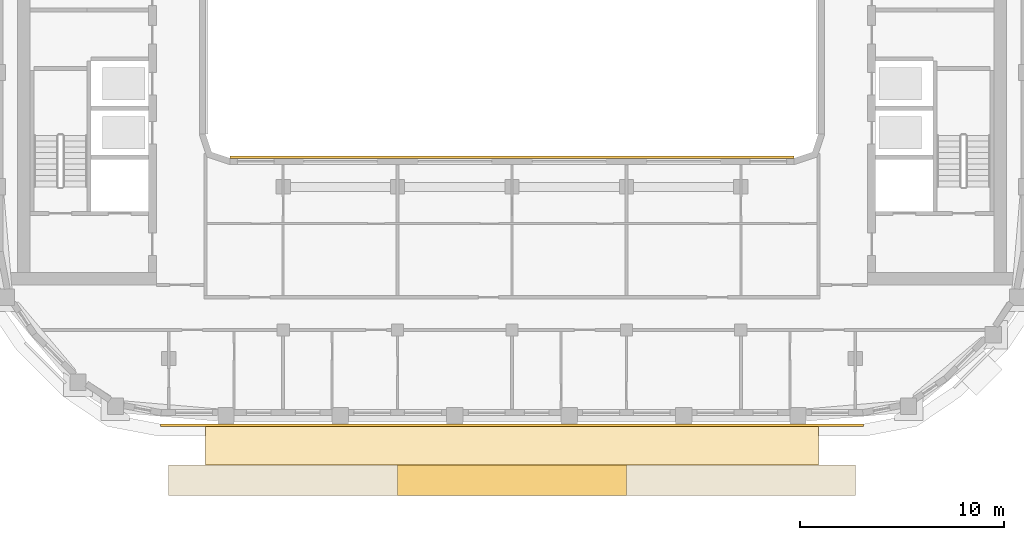
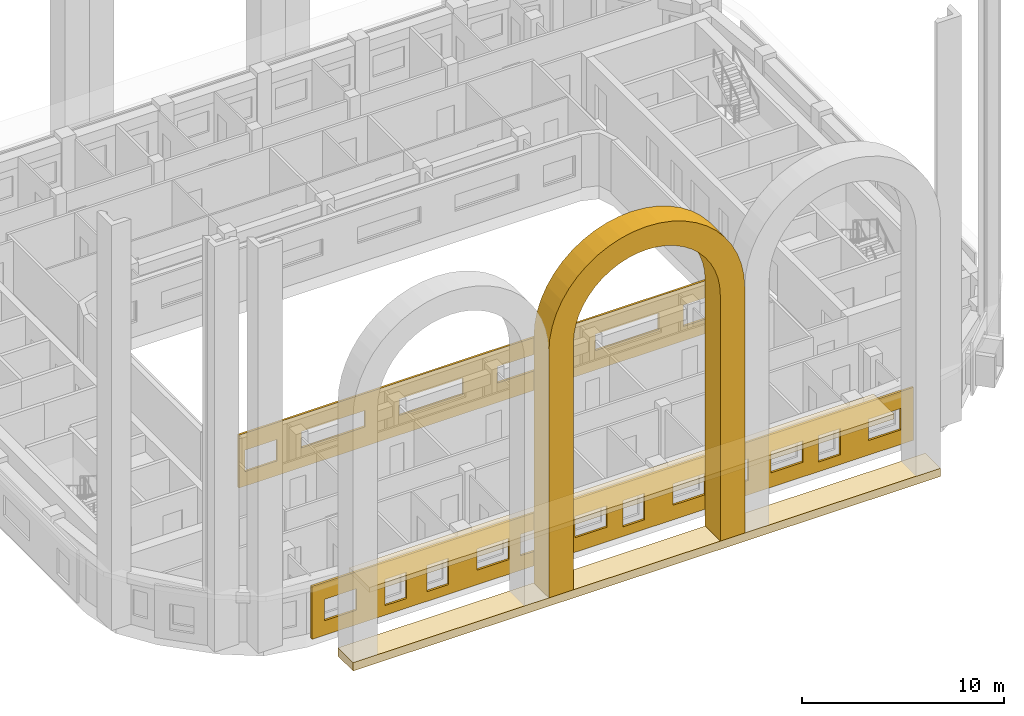
# One storey, part 11 of 19: 5 coverings.
"""IFC4 building model written with IfcOpenShell, lengths in metres."""

from ifc_helpers import new_model, si_unit, direction, frame, origin, place, context, subcontext, project, spatial, polyline, outline, extrude, material, layer, layer_set, type_object, element, save


model = new_model("IFC4")

# Units and contexts
model_context = context("Model", 3, precision=1e-05, world=origin(), true_north=direction((0.0, 1.0)))
body_context = subcontext(model_context, "Body", "Model", "MODEL_VIEW")
ifc_project = project(units=[si_unit("LENGTHUNIT", "METRE"), si_unit("AREAUNIT", "SQUARE_METRE"), si_unit("VOLUMEUNIT", "CUBIC_METRE"), si_unit("PLANEANGLEUNIT", "RADIAN"), si_unit("MASSUNIT", "GRAM", prefix="KILO")], contexts=[model_context])

# Site, building, storey
site_placement = place(None, origin())
site = spatial("IfcSite", under=ifc_project, at=site_placement, CompositionType="ELEMENT")
building_placement = place(site_placement, origin())
building = spatial("IfcBuilding", under=site, at=building_placement, Name="Kiln Ring Residences", CompositionType="ELEMENT")
storey_placement = place(building_placement, frame((0.0, 0.0, 241.699951171875)))
storey = spatial("IfcBuildingStorey", under=building, at=storey_placement, Name="L62", CompositionType="ELEMENT", Elevation=241.699951171875)

# Coverings
ifc_material_1 = material(Name="Brick masonry, dark clay brick", Category="masonry")
ifc_layer_1 = layer(ifc_material_1, 0.5)
ifc_layer_set_1 = layer_set([ifc_layer_1], Name="ARCADE PLINTH 500")
covering_type_1 = type_object("IfcCoveringType", Name="ARCADE PLINTH 500", PredefinedType="CLADDING", material=ifc_layer_set_1)
covering_1_placement = place(storey_placement, origin())
element("IfcCovering", 1, at=covering_1_placement, inside=storey, type_object=covering_type_1, Name="ARCADE PLINTH Z5 S", PredefinedType="CLADDING", context=body_context, shape_type="SweptSolid", body=[
    extrude(outline(polyline([(-16.800048828125, -23.5), (16.800048828125, -23.5), (16.800048828125, -22.0), (-16.800048828125, -22.0), (-16.800048828125, -23.5)])), origin(), (0.0, 0.0, 1.0), 0.5),
])
ifc_material_2 = material(Name="Brick masonry, dark clay brick", Category="masonry")
ifc_layer_2 = layer(ifc_material_2, 1.39990234375)
ifc_layer_set_2 = layer_set([ifc_layer_2], Name="ARCH SURROUND 1500")
covering_type_2 = type_object("IfcCoveringType", Name="ARCH SURROUND 1500", PredefinedType="CLADDING", material=ifc_layer_set_2)
covering_2_placement = place(storey_placement, frame((5.60009765625, -22.75, 0.5), z_axis=(0.0, 0.0, 1.0), x_axis=(-1.0, 0.0, 0.0)))
element("IfcCovering", 2, at=covering_2_placement, inside=storey, type_object=covering_type_2, Name="ARCH SURROUND Z5 S1.2", PredefinedType="CLADDING", context=body_context, shape_type="SweptSolid", body=[
    extrude(outline(polyline([(11.199951171875, 0.0), (11.199951171875, 14.900146484375), (11.152099609375, 15.630859375), (11.00927734375, 16.349365234375), (10.773681640625, 17.04296875), (10.44970703125, 17.699951171875), (10.042724609375, 18.30908203125), (9.559814453125, 18.85986328125), (9.009033203125, 19.3427734375), (8.39990234375, 19.749755859375), (7.742919921875, 20.07373046875), (7.04931640625, 20.309326171875), (6.330810546875, 20.4521484375), (5.60009765625, 20.5), (4.869140625, 20.4521484375), (4.150634765625, 20.309326171875), (3.45703125, 20.07373046875), (2.800048828125, 19.749755859375), (2.19091796875, 19.3427734375), (1.64013671875, 18.85986328125), (1.1572265625, 18.30908203125), (0.750244140625, 17.699951171875), (0.42626953125, 17.04296875), (0.19091796875, 16.349365234375), (0.0478515625, 15.630859375), (0.0, 14.900146484375), (0.0, 0.0), (1.39990234375, 0.0), (1.39990234375, 14.900146484375), (1.435791015625, 15.4482421875), (1.543212890625, 15.987060546875), (1.7197265625, 16.50732421875), (1.962646484375, 17.0), (2.267822265625, 17.456787109375), (2.630126953125, 17.869873046875), (3.043212890625, 18.232177734375), (3.5, 18.537353515625), (3.99267578125, 18.7802734375), (4.512939453125, 18.95703125), (5.0517578125, 19.064208984375), (5.60009765625, 19.10009765625), (6.148193359375, 19.064208984375), (6.68701171875, 18.95703125), (7.207275390625, 18.7802734375), (7.699951171875, 18.537353515625), (8.15673828125, 18.232177734375), (8.56982421875, 17.869873046875), (8.93212890625, 17.456787109375), (9.2373046875, 17.0), (9.480224609375, 16.50732421875), (9.656982421875, 15.987060546875), (9.76416015625, 15.4482421875), (9.800048828125, 14.900146484375), (9.800048828125, 0.0), (11.199951171875, 0.0)])), frame((0.0, 0.75, 0.0), z_axis=(0.0, -1.0, 0.0), x_axis=(1.0, 0.0, 0.0)), (0.0, 0.0, 1.0), 1.5),
])
ifc_material_3 = material(Name="Brick masonry, dark clay brick", Category="masonry")
ifc_layer_3 = layer(ifc_material_3, 0.1201171875)
ifc_layer_set_3 = layer_set([ifc_layer_3], Name="RAINSCREEN PANEL 120")
covering_type_3 = type_object("IfcCoveringType", Name="RAINSCREEN PANEL 120", PredefinedType="CLADDING", material=ifc_layer_set_3)
covering_3_placement = place(storey_placement, frame((-17.199951171875, -20.06005859375, 0.0), z_axis=(0.0, 0.0, 1.0), x_axis=(1.0, 0.0, 0.0)))
element("IfcCovering", 3, at=covering_3_placement, inside=storey, type_object=covering_type_3, Name="RAINSCREEN L62", PredefinedType="CLADDING", context=body_context, shape_type="SweptSolid", body=[
    extrude(outline(polyline([(0.0, 0.0), (34.39990234375, 0.0), (34.39990234375, 3.199951171875), (0.0, 3.199951171875), (0.0, 0.0)]), holes=[polyline([(4.179931640625, 0.580078125), (5.419921875, 0.580078125), (5.419921875, 2.170166015625), (4.179931640625, 2.170166015625), (4.179931640625, 0.580078125)]), polyline([(6.580078125, 2.170166015625), (6.580078125, 0.580078125), (7.820068359375, 0.580078125), (7.820068359375, 2.170166015625), (6.580078125, 2.170166015625)]), polyline([(0.717529296875, 2.170166015625), (0.717529296875, 0.880126953125), (2.5576171875, 0.880126953125), (2.5576171875, 2.170166015625), (0.717529296875, 2.170166015625)]), polyline([(9.4423828125, 0.880126953125), (11.282470703125, 0.880126953125), (11.282470703125, 2.170166015625), (9.4423828125, 2.170166015625), (9.4423828125, 0.880126953125)]), polyline([(11.91748046875, 2.170166015625), (11.91748046875, 0.880126953125), (13.757568359375, 0.880126953125), (13.757568359375, 2.170166015625), (11.91748046875, 2.170166015625)]), polyline([(15.04248046875, 2.170166015625), (15.04248046875, 0.880126953125), (16.882568359375, 0.880126953125), (16.882568359375, 2.170166015625), (15.04248046875, 2.170166015625)]), polyline([(17.780029296875, 0.580078125), (19.02001953125, 0.580078125), (19.02001953125, 2.170166015625), (17.780029296875, 2.170166015625), (17.780029296875, 0.580078125)]), polyline([(28.97998046875, 2.170166015625), (28.97998046875, 0.580078125), (30.219970703125, 0.580078125), (30.219970703125, 2.170166015625), (28.97998046875, 2.170166015625)]), polyline([(20.642578125, 2.170166015625), (20.642578125, 0.880126953125), (22.482421875, 0.880126953125), (22.482421875, 2.170166015625), (20.642578125, 2.170166015625)]), polyline([(23.117431640625, 0.880126953125), (24.95751953125, 0.880126953125), (24.95751953125, 2.170166015625), (23.117431640625, 2.170166015625), (23.117431640625, 0.880126953125)]), polyline([(26.242431640625, 2.170166015625), (26.242431640625, 0.880126953125), (28.08251953125, 0.880126953125), (28.08251953125, 2.170166015625), (26.242431640625, 2.170166015625)]), polyline([(31.842529296875, 2.170166015625), (31.842529296875, 0.880126953125), (33.6826171875, 0.880126953125), (33.6826171875, 2.170166015625), (31.842529296875, 2.170166015625)])]), frame((0.0, 0.06005859375, 0.0), z_axis=(0.0, -1.0, 0.0), x_axis=(1.0, 0.0, 0.0)), (0.0, 0.0, 1.0), 0.1201171875),
])
covering_4_placement = place(storey_placement, frame((13.800048828125, -6.93994140625, 0.0), z_axis=(0.0, 0.0, 1.0), x_axis=(-1.0, 0.0, 0.0)))
element("IfcCovering", 4, at=covering_4_placement, inside=storey, type_object=covering_type_3, Name="RAINSCREEN L62", PredefinedType="CLADDING", context=body_context, shape_type="SweptSolid", body=[
    extrude(outline(polyline([(0.0, 0.0), (27.60009765625, 0.0), (27.60009765625, 3.199951171875), (0.0, 3.199951171875), (0.0, 0.0)]), holes=[polyline([(2.1826171875, 0.880126953125), (2.1826171875, 2.170166015625), (0.342529296875, 2.170166015625), (0.342529296875, 0.880126953125), (2.1826171875, 0.880126953125)]), polyline([(25.41748046875, 0.880126953125), (27.257568359375, 0.880126953125), (27.257568359375, 2.170166015625), (25.41748046875, 2.170166015625), (25.41748046875, 0.880126953125)]), polyline([(3.580078125, 1.179931640625), (7.219970703125, 1.179931640625), (7.219970703125, 2.170166015625), (3.580078125, 2.170166015625), (3.580078125, 1.179931640625)]), polyline([(12.820068359375, 1.179931640625), (12.820068359375, 2.170166015625), (9.179931640625, 2.170166015625), (9.179931640625, 1.179931640625), (12.820068359375, 1.179931640625)]), polyline([(14.780029296875, 1.179931640625), (18.419921875, 1.179931640625), (18.419921875, 2.170166015625), (14.780029296875, 2.170166015625), (14.780029296875, 1.179931640625)]), polyline([(20.3798828125, 1.179931640625), (24.02001953125, 1.179931640625), (24.02001953125, 2.170166015625), (20.3798828125, 2.170166015625), (20.3798828125, 1.179931640625)])]), frame((0.0, 0.06005859375, 0.0), z_axis=(0.0, -1.0, 0.0), x_axis=(1.0, 0.0, 0.0)), (0.0, 0.0, 1.0), 0.1201171875),
])
ifc_material_4 = material(Name="Black powder-coated steel", Category="steel")
ifc_layer_4 = layer(ifc_material_4, 0.300048828125)
ifc_layer_set_4 = layer_set([ifc_layer_4], Name="SUNSHADE BAND 2000")
covering_type_4 = type_object("IfcCoveringType", Name="SUNSHADE BAND 2000", PredefinedType="CLADDING", material=ifc_layer_set_4)
covering_5_placement = place(storey_placement, frame((0.0, 0.0, 3.199951171875)))
element("IfcCovering", 5, at=covering_5_placement, inside=storey, type_object=covering_type_4, Name="SUNSHADE BAND L62", PredefinedType="CLADDING", context=body_context, shape_type="SweptSolid", body=[
    extrude(outline(polyline([(-15.0, -22.0), (15.0, -22.0), (15.0, -20.0), (-15.0, -20.0), (-15.0, -22.0)])), origin(), (0.0, 0.0, 1.0), 0.300048828125),
])

save(model, "model.ifc")
